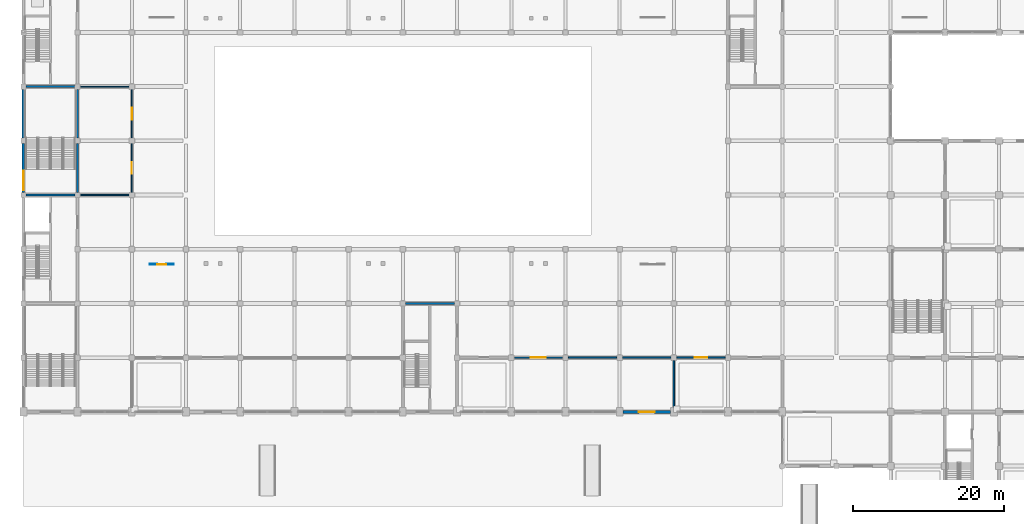
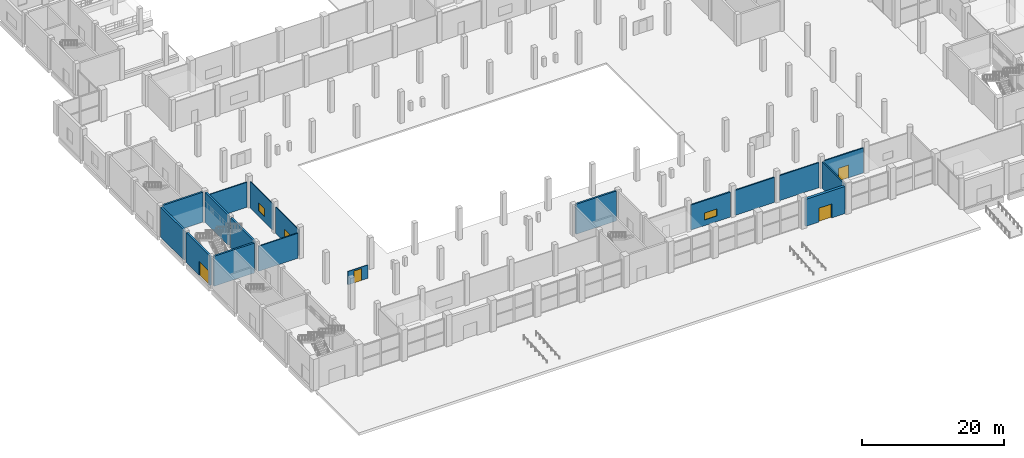
# One storey, part 45 of 70: 18 walls, 5 doors, 2 windows, 7 openings.
"""IFC4 building model written with IfcOpenShell, lengths in metres."""

from ifc_helpers import new_model, si_unit, direction, frame, frame_2d, origin, place, context, subcontext, project, spatial, rectangle, extrude, material, layer, layer_set, type_object, element, fill, save


model = new_model("IFC4")

# Units and contexts
model_context = context("Model", 3, precision=1e-05, world=origin(), true_north=direction((0.0, 1.0)))
body_context = subcontext(model_context, "Body", "Model", "MODEL_VIEW")
ifc_project = project(units=[si_unit("LENGTHUNIT", "METRE"), si_unit("AREAUNIT", "SQUARE_METRE"), si_unit("VOLUMEUNIT", "CUBIC_METRE"), si_unit("PLANEANGLEUNIT", "RADIAN"), si_unit("MASSUNIT", "GRAM", prefix="KILO")], contexts=[model_context])

# Site, building, storey
site_placement = place(None, origin())
site = spatial("IfcSite", under=ifc_project, at=site_placement, CompositionType="ELEMENT")
building_placement = place(site_placement, origin())
building = spatial("IfcBuilding", under=site, at=building_placement, Name="Vesperath Aquatics Centre", CompositionType="ELEMENT")
storey_placement = place(building_placement, origin())
storey = spatial("IfcBuildingStorey", under=building, at=storey_placement, Name="L00", CompositionType="ELEMENT", Elevation=0.0)

# Wall, opening, door
ifc_material_1 = material(Name="Liaoning grey granite ashlar insulated cavity wall", Category="masonry")
ifc_layer_1 = layer(ifc_material_1, 0.419921875)
ifc_layer_set_1 = layer_set([ifc_layer_1], Name="Liaoning grey granite ashlar insulated cavity wall")
wall_type_1 = type_object("IfcWallType", Name="WL-EW01", PredefinedType="SOLIDWALL", material=ifc_layer_set_1)
wall_1_placement = place(storey_placement, frame((79.64990234375, 14.39990234375, 0.0), z_axis=(0.0, 0.0, 1.0), x_axis=(1.0, 0.0, 0.0)))
wall_1 = element("IfcWall", 1, at=wall_1_placement, inside=storey, type_object=wall_type_1, Name="Exterior Wall EW01 L00_S_11_02", PredefinedType="SOLIDWALL", context=body_context, shape_type="SweptSolid", body=[
    extrude(rectangle(XDim=6.300048828125, YDim=0.419921875, at=frame_2d((3.14990234375, 0.0))), origin(), (0.0, 0.0, 1.0), 4.639892578125),
])
opening_1_placement = place(wall_1_placement, frame((2.10009765625, 0.0, 0.0)))
opening_1 = element("IfcOpeningElement", 2, at=opening_1_placement, cuts=wall_1, Name="Opening EX02", PredefinedType="OPENING", context=body_context, shape_type="SweptSolid", body=[
    extrude(rectangle(XDim=2.10009765625, YDim=2.39990234375, at=frame_2d((1.050048828125, 1.199951171875))), frame((0.0, 0.224853515625, 0.0), z_axis=(0.0, -1.0, 0.0), x_axis=(1.0, 0.0, 0.0)), (0.0, 0.0, 1.0), 0.44970703125),
])
ifc_material_2 = material(Name="Thermally broken bronze-anodised glazed aluminium door", Category="aluminium")
door_type_1 = type_object("IfcDoorType", Name="DR-EX02", OperationType="DOUBLE_SWING_LEFT", PredefinedType="DOOR", material=ifc_material_2)
door_1_placement = place(opening_1_placement, frame((2.10009765625, 0.0, 0.0), z_axis=(0.0, 0.0, 1.0), x_axis=(-1.0, 0.0, 0.0)))
door_1 = element("IfcDoor", 3, at=door_1_placement, inside=storey, type_object=door_type_1, Name="Final Exit Door EX02 L00_S_11_02", OperationType="DOUBLE_SWING_LEFT", OverallHeight=2.39990234375, OverallWidth=2.10009765625, PredefinedType="DOOR", context=body_context, shape_type="SweptSolid", body=[
    extrude(rectangle(XDim=2.10009765625, YDim=2.39990234375, at=frame_2d((1.050048828125, 1.199951171875))), frame((0.0, 0.02490234375, 0.0), z_axis=(0.0, -1.0, 0.0), x_axis=(1.0, 0.0, 0.0)), (0.0, 0.0, 1.0), 0.050048828125),
])
fill(opening_1, door_1)

# Wall, opening, window
ifc_material_3 = material(Name="Autoclaved aerated masonry blockwork", Category="masonry")
ifc_layer_2 = layer(ifc_material_3, 0.22998046875)
ifc_layer_set_2 = layer_set([ifc_layer_2], Name="Autoclaved aerated masonry blockwork")
wall_type_2 = type_object("IfcWallType", Name="WL-FW01", PredefinedType="SOLIDWALL", material=ifc_layer_set_2)
wall_2_placement = place(storey_placement, frame((65.199951171875, 21.60009765625, 0.0), z_axis=(0.0, 0.0, 1.0), x_axis=(1.0, 0.0, 0.0)))
wall_2 = element("IfcWall", 4, at=wall_2_placement, inside=storey, type_object=wall_type_2, Name="Interior Partition FW01 L00_OFFICIALS-N2", PredefinedType="SOLIDWALL", context=body_context, shape_type="SweptSolid", body=[
    extrude(rectangle(XDim=6.400146484375, YDim=0.22998046875, at=frame_2d((3.2001953125, 0.0))), origin(), (0.0, 0.0, 1.0), 4.2900390625),
])
opening_2_placement = place(wall_2_placement, frame((2.199951171875, 0.0, 0.949951171875)))
opening_2 = element("IfcOpeningElement", 5, at=opening_2_placement, cuts=wall_2, Name="Opening VW11", PredefinedType="OPENING", context=body_context, shape_type="SweptSolid", body=[
    extrude(rectangle(XDim=2.0, YDim=1.199951171875, at=frame_2d((1.0, 0.60009765625))), frame((0.0, 0.1298828125, 0.0), z_axis=(0.0, -1.0, 0.0), x_axis=(1.0, 0.0, 0.0)), (0.0, 0.0, 1.0), 0.259765625),
])
ifc_material_4 = material(Name="Acoustic laminated interior viewing glazing", Category="glass")
window_type_1 = type_object("IfcWindowType", Name="WN-IW11", PartitioningType="SINGLE_PANEL", PredefinedType="WINDOW", material=ifc_material_4)
window_1_placement = place(opening_2_placement, origin())
window_1 = element("IfcWindow", 6, at=window_1_placement, inside=storey, type_object=window_type_1, Name="Interior Viewing Window VW11 L00_OFFICIALS", OverallHeight=1.199951171875, OverallWidth=2.0, PartitioningType="SINGLE_PANEL", PredefinedType="WINDOW", context=body_context, shape_type="SweptSolid", body=[
    extrude(rectangle(XDim=2.0, YDim=1.199951171875, at=frame_2d((1.0, 0.60009765625))), frame((0.0, 0.030029296875, 0.0), z_axis=(0.0, -1.0, 0.0), x_axis=(1.0, 0.0, 0.0)), (0.0, 0.0, 1.0), 0.06005859375),
])
fill(opening_2, window_1)

# Walls
ifc_material_5 = material(Name="Masonry fire compartment wall", Category="masonry")
ifc_layer_3 = layer(ifc_material_5, 0.219970703125)
ifc_layer_set_3 = layer_set([ifc_layer_3], Name="Masonry fire compartment wall")
wall_type_3 = type_object("IfcWallType", Name="WL-FW02", PredefinedType="SOLIDWALL", material=ifc_layer_set_3)
wall_3_placement = place(storey_placement, frame((72.39990234375, 21.60009765625, 0.0), z_axis=(0.0, 0.0, 1.0), x_axis=(1.0, 0.0, 0.0)))
element("IfcWall", 7, at=wall_3_placement, inside=storey, type_object=wall_type_3, Name="Interior Partition FW02 L00_OFFICIALS-N3", PredefinedType="SOLIDWALL", context=body_context, shape_type="SweptSolid", body=[
    extrude(rectangle(XDim=6.400146484375, YDim=0.219970703125, at=frame_2d((3.2001953125, 0.0))), origin(), (0.0, 0.0, 1.0), 4.2900390625),
])
ifc_material_6 = material(Name="Wet-village masonry block wall", Category="masonry")
ifc_layer_4 = layer(ifc_material_6, 0.199951171875)
ifc_layer_set_4 = layer_set([ifc_layer_4], Name="Wet-village masonry block wall")
wall_type_4 = type_object("IfcWallType", Name="WL-FW03", PredefinedType="SOLIDWALL", material=ifc_layer_set_4)
wall_4_placement = place(storey_placement, frame((79.60009765625, 21.60009765625, 0.0), z_axis=(0.0, 0.0, 1.0), x_axis=(1.0, 0.0, 0.0)))
element("IfcWall", 8, at=wall_4_placement, inside=storey, type_object=wall_type_4, Name="Interior Partition FW03 L00_OFFICIALS-N4", PredefinedType="SOLIDWALL", context=body_context, shape_type="SweptSolid", body=[
    extrude(rectangle(XDim=6.39990234375, YDim=0.199951171875, at=frame_2d((3.199951171875, 0.0))), origin(), (0.0, 0.0, 1.0), 4.2900390625),
])
ifc_material_7 = material(Name="Plant acoustic masonry wall", Category="masonry")
ifc_layer_5 = layer(ifc_material_7, 0.18994140625)
ifc_layer_set_5 = layer_set([ifc_layer_5], Name="Plant acoustic masonry wall")
wall_type_5 = type_object("IfcWallType", Name="WL-FW04", PredefinedType="SOLIDWALL", material=ifc_layer_set_5)
wall_5_placement = place(storey_placement, frame((86.39990234375, 15.0, 0.0), z_axis=(0.0, 0.0, 1.0), x_axis=(0.0, 1.0, 0.0)))
element("IfcWall", 9, at=wall_5_placement, inside=storey, type_object=wall_type_5, Name="Interior Partition FW04 L00_OFFICIALS-E1", PredefinedType="SOLIDWALL", context=body_context, shape_type="SweptSolid", body=[
    extrude(rectangle(XDim=6.199951171875, YDim=0.18994140625, at=frame_2d((3.10009765625, 0.0))), origin(), (0.0, 0.0, 1.0), 4.489990234375),
])

# Wall, opening, door
ifc_material_8 = material(Name="Double-stud acoustic studio partition", Category="gypsum")
ifc_layer_6 = layer(ifc_material_8, 0.18505859375)
ifc_layer_set_6 = layer_set([ifc_layer_6], Name="Double-stud acoustic studio partition")
wall_type_6 = type_object("IfcWallType", Name="WL-IW01", PredefinedType="PARTITIONING", material=ifc_layer_set_6)
wall_6_placement = place(storey_placement, frame((86.800048828125, 21.60009765625, 0.0), z_axis=(0.0, 0.0, 1.0), x_axis=(1.0, 0.0, 0.0)))
wall_6 = element("IfcWall", 10, at=wall_6_placement, inside=storey, type_object=wall_type_6, Name="Interior Partition IW01 L00_FIRST_AID-N1", PredefinedType="PARTITIONING", context=body_context, shape_type="SweptSolid", body=[
    extrude(rectangle(XDim=6.39990234375, YDim=0.18505859375, at=frame_2d((3.199951171875, 0.0))), origin(), (0.0, 0.0, 1.0), 4.2900390625),
])
opening_3_placement = place(wall_6_placement, frame((2.389892578125, 0.0, 0.0)))
opening_3 = element("IfcOpeningElement", 11, at=opening_3_placement, cuts=wall_6, Name="Opening D21", PredefinedType="OPENING", context=body_context, shape_type="SweptSolid", body=[
    extrude(rectangle(XDim=1.6201171875, YDim=2.199951171875, at=frame_2d((0.81005859375, 1.10009765625))), frame((0.0, 0.107421875, 0.0), z_axis=(0.0, -1.0, 0.0), x_axis=(1.0, 0.0, 0.0)), (0.0, 0.0, 1.0), 0.21484375),
])
ifc_material_9 = material(Name="Hydrotherapy clinic glazed double door", Category="aluminium")
door_type_2 = type_object("IfcDoorType", Name="DR-RM13", OperationType="DOUBLE_SWING_LEFT", PredefinedType="DOOR", material=ifc_material_9)
door_2_placement = place(opening_3_placement, frame((1.6201171875, 0.0, 0.0), z_axis=(0.0, 0.0, 1.0), x_axis=(-1.0, 0.0, 0.0)))
door_2 = element("IfcDoor", 12, at=door_2_placement, inside=storey, type_object=door_type_2, Name="Poolside Lifeguard and First-Aid Triage Room Door D21", OperationType="DOUBLE_SWING_LEFT", OverallHeight=2.199951171875, OverallWidth=1.6201171875, PredefinedType="DOOR", context=body_context, shape_type="SweptSolid", body=[
    extrude(rectangle(XDim=1.6201171875, YDim=2.199951171875, at=frame_2d((0.81005859375, 1.10009765625))), frame((0.0, 0.02490234375, 0.0), z_axis=(0.0, -1.0, 0.0), x_axis=(1.0, 0.0, 0.0)), (0.0, 0.0, 1.0), 0.050048828125),
])
fill(opening_3, door_2)

# Walls
ifc_material_10 = material(Name="Clinic acoustic partition", Category="gypsum")
ifc_layer_7 = layer(ifc_material_10, 0.159912109375)
ifc_layer_set_7 = layer_set([ifc_layer_7], Name="Clinic acoustic partition")
wall_type_7 = type_object("IfcWallType", Name="WL-IW04", PredefinedType="PARTITIONING", material=ifc_layer_set_7)
wall_7_placement = place(storey_placement, frame((7.60009765625, 43.199951171875, 0.0), z_axis=(0.0, 0.0, 1.0), x_axis=(1.0, 0.0, 0.0)))
element("IfcWall", 13, at=wall_7_placement, inside=storey, type_object=wall_type_7, Name="Interior Partition IW04 L00_WEST_WARM-S1", PredefinedType="PARTITIONING", context=body_context, shape_type="SweptSolid", body=[
    extrude(rectangle(XDim=6.39990234375, YDim=0.159912109375, at=frame_2d((3.199951171875, 0.0))), origin(), (0.0, 0.0, 1.0), 4.2900390625),
])
ifc_material_11 = material(Name="Laboratory clean partition", Category="gypsum")
ifc_layer_8 = layer(ifc_material_11, 0.152099609375)
ifc_layer_set_8 = layer_set([ifc_layer_8], Name="Laboratory clean partition")
wall_type_8 = type_object("IfcWallType", Name="WL-IW05", PredefinedType="PARTITIONING", material=ifc_layer_set_8)
wall_8_placement = place(storey_placement, frame((7.60009765625, 57.60009765625, 0.0), z_axis=(0.0, 0.0, 1.0), x_axis=(1.0, 0.0, 0.0)))
element("IfcWall", 14, at=wall_8_placement, inside=storey, type_object=wall_type_8, Name="Interior Partition IW05 L00_WEST_WARM-N1", PredefinedType="PARTITIONING", context=body_context, shape_type="SweptSolid", body=[
    extrude(rectangle(XDim=6.39990234375, YDim=0.152099609375, at=frame_2d((3.199951171875, 0.0))), origin(), (0.0, 0.0, 1.0), 4.2900390625),
])

# Wall, opening, door
ifc_material_12 = material(Name="Classroom acoustic partition", Category="gypsum")
ifc_layer_9 = layer(ifc_material_12, 0.14501953125)
ifc_layer_set_9 = layer_set([ifc_layer_9], Name="Classroom acoustic partition")
wall_type_9 = type_object("IfcWallType", Name="WL-IW06", PredefinedType="PARTITIONING", material=ifc_layer_set_9)
wall_9_placement = place(storey_placement, frame((14.39990234375, 43.60009765625, 0.0), z_axis=(0.0, 0.0, 1.0), x_axis=(0.0, 1.0, 0.0)))
wall_9 = element("IfcWall", 15, at=wall_9_placement, inside=storey, type_object=wall_type_9, Name="Interior Partition IW06 L00_WEST_WARM-E1", PredefinedType="PARTITIONING", context=body_context, shape_type="SweptSolid", body=[
    extrude(rectangle(XDim=6.39990234375, YDim=0.14501953125, at=frame_2d((3.199951171875, 0.0))), origin(), (0.0, 0.0, 1.0), 4.489990234375),
])
opening_4_placement = place(wall_9_placement, frame((2.449951171875, 0.0, 0.0)))
opening_4 = element("IfcOpeningElement", 16, at=opening_4_placement, cuts=wall_9, Name="Opening D18", PredefinedType="OPENING", context=body_context, shape_type="SweptSolid", body=[
    extrude(rectangle(XDim=1.5, YDim=2.199951171875, at=frame_2d((0.75, 1.10009765625))), frame((0.0, 0.08740234375, 0.0), z_axis=(0.0, -1.0, 0.0), x_axis=(1.0, 0.0, 0.0)), (0.0, 0.0, 1.0), 0.1748046875),
])
ifc_material_13 = material(Name="Aquatics shop glazed double door", Category="aluminium")
door_type_3 = type_object("IfcDoorType", Name="DR-RM10", OperationType="DOUBLE_SWING_LEFT", PredefinedType="DOOR", material=ifc_material_13)
door_3_placement = place(opening_4_placement, origin())
door_3 = element("IfcDoor", 17, at=door_3_placement, inside=storey, type_object=door_type_3, Name="Athletes Dry Warm-Up and Stretching Hall Door D18", OperationType="DOUBLE_SWING_LEFT", OverallHeight=2.199951171875, OverallWidth=1.5, PredefinedType="DOOR", context=body_context, shape_type="SweptSolid", body=[
    extrude(rectangle(XDim=1.5, YDim=2.199951171875, at=frame_2d((0.75, 1.10009765625))), frame((0.0, 0.02490234375, 0.0), z_axis=(0.0, -1.0, 0.0), x_axis=(1.0, 0.0, 0.0)), (0.0, 0.0, 1.0), 0.050048828125),
])
fill(opening_4, door_3)

# Wall, opening, window
ifc_material_14 = material(Name="Changing cubicle masonry-backed partition", Category="masonry")
ifc_layer_10 = layer(ifc_material_14, 0.137939453125)
ifc_layer_set_10 = layer_set([ifc_layer_10], Name="Changing cubicle masonry-backed partition")
wall_type_10 = type_object("IfcWallType", Name="WL-IW07", PredefinedType="PARTITIONING", material=ifc_layer_set_10)
wall_10_placement = place(storey_placement, frame((14.39990234375, 50.800048828125, 0.0), z_axis=(0.0, 0.0, 1.0), x_axis=(0.0, 1.0, 0.0)))
wall_10 = element("IfcWall", 18, at=wall_10_placement, inside=storey, type_object=wall_type_10, Name="Interior Partition IW07 L00_WEST_WARM-E2", PredefinedType="PARTITIONING", context=body_context, shape_type="SweptSolid", body=[
    extrude(rectangle(XDim=6.39990234375, YDim=0.137939453125, at=frame_2d((3.199951171875, 0.0))), origin(), (0.0, 0.0, 1.0), 4.489990234375),
])
opening_5_placement = place(wall_10_placement, frame((2.39990234375, 0.0, 0.949951171875)))
opening_5 = element("IfcOpeningElement", 19, at=opening_5_placement, cuts=wall_10, Name="Opening VW09", PredefinedType="OPENING", context=body_context, shape_type="SweptSolid", body=[
    extrude(rectangle(XDim=1.60009765625, YDim=1.35009765625, at=frame_2d((0.800048828125, 0.675048828125))), frame((0.0, 0.083984375, 0.0), z_axis=(0.0, -1.0, 0.0), x_axis=(1.0, 0.0, 0.0)), (0.0, 0.0, 1.0), 0.167724609375),
])
window_type_2 = type_object("IfcWindowType", Name="WN-IW09", PartitioningType="SINGLE_PANEL", PredefinedType="WINDOW", material=ifc_material_4)
window_2_placement = place(opening_5_placement, origin())
window_2 = element("IfcWindow", 20, at=window_2_placement, inside=storey, type_object=window_type_2, Name="Interior Viewing Window VW09 L00_WEST_WARM", OverallHeight=1.35009765625, OverallWidth=1.60009765625, PartitioningType="SINGLE_PANEL", PredefinedType="WINDOW", context=body_context, shape_type="SweptSolid", body=[
    extrude(rectangle(XDim=1.60009765625, YDim=1.35009765625, at=frame_2d((0.800048828125, 0.675048828125))), frame((0.0, 0.030029296875, 0.0), z_axis=(0.0, -1.0, 0.0), x_axis=(1.0, 0.0, 0.0)), (0.0, 0.0, 1.0), 0.06005859375),
])
fill(opening_5, window_2)

# Wall, opening, door
ifc_material_15 = material(Name="Poolside glazed screen partition", Category="gypsum")
ifc_layer_11 = layer(ifc_material_15, 0.094970703125)
ifc_layer_set_11 = layer_set([ifc_layer_11], Name="Poolside glazed screen partition")
wall_type_11 = type_object("IfcWallType", Name="WL-IW13", PredefinedType="PARTITIONING", material=ifc_layer_set_11)
wall_11_placement = place(storey_placement, frame((16.800048828125, 34.0, 0.0), z_axis=(0.0, 0.0, 1.0), x_axis=(1.0, 0.0, 0.0)))
wall_11 = element("IfcWall", 21, at=wall_11_placement, inside=storey, type_object=wall_type_11, Name="Poolside Marshal Screen IW13-01", PredefinedType="PARTITIONING", context=body_context, shape_type="SweptSolid", body=[
    extrude(rectangle(XDim=3.199951171875, YDim=0.094970703125, at=frame_2d((1.60009765625, 0.0))), origin(), (0.0, 0.0, 1.0), 2.300048828125),
])
opening_6_placement = place(wall_11_placement, frame((0.949951171875, 0.0, 0.0)))
opening_6 = element("IfcOpeningElement", 22, at=opening_6_placement, cuts=wall_11, Name="Opening GT01", PredefinedType="OPENING", context=body_context, shape_type="SweptSolid", body=[
    extrude(rectangle(XDim=1.25, YDim=2.050048828125, at=frame_2d((0.625, 1.02490234375))), frame((0.0, 0.0625, 0.0), z_axis=(0.0, -1.0, 0.0), x_axis=(1.0, 0.0, 0.0)), (0.0, 0.0, 1.0), 0.124755859375),
])
ifc_material_16 = material(Name="Stainless steel poolside marshal gate", Category="steel")
door_type_4 = type_object("IfcDoorType", Name="DR-GT01", OperationType="NOTDEFINED", PredefinedType="GATE", material=ifc_material_16)
door_4_placement = place(opening_6_placement, origin())
door_4 = element("IfcDoor", 23, at=door_4_placement, inside=storey, type_object=door_type_4, Name="Poolside Marshal Gate GT01-01", OperationType="SINGLE_SWING_LEFT", OverallHeight=2.050048828125, OverallWidth=1.25, PredefinedType="GATE", context=body_context, shape_type="SweptSolid", body=[
    extrude(rectangle(XDim=1.25, YDim=2.050048828125, at=frame_2d((0.625, 1.02490234375))), frame((0.0, 0.02490234375, 0.0), z_axis=(0.0, -1.0, 0.0), x_axis=(1.0, 0.0, 0.0)), (0.0, 0.0, 1.0), 0.050048828125),
])
fill(opening_6, door_4)

# Walls
ifc_material_17 = material(Name="Concrete C40", Category="concrete")
ifc_layer_12 = layer(ifc_material_17, 0.300048828125)
ifc_layer_set_12 = layer_set([ifc_layer_12], Name="Concrete C40")
wall_type_12 = type_object("IfcWallType", Name="WL-SW01", PredefinedType="SHEAR", material=ifc_layer_set_12)
for number, where, z_axis, x_axis, name in (
    (24, (0.35009765625, 43.199951171875, 0.0), (0.0, 0.0, 1.0), (1.0, 0.0, 0.0), "Core C1 North Shear Wall SW01 L00"),
    (25, (7.199951171875, 43.550048828125, 0.0), (0.0, 0.0, 1.0), (0.0, 1.0, 0.0), "Core C11 East-1 Shear Wall SW01 L00"),
    (26, (7.199951171875, 50.75, 0.0), (0.0, 0.0, 1.0), (0.0, 1.0, 0.0), "Core C11 East-2 Shear Wall SW01 L00"),
):
    element("IfcWall", number, at=place(storey_placement, frame(where, z_axis=z_axis, x_axis=x_axis)), inside=storey, type_object=wall_type_12, Name=name, PredefinedType="SHEAR", context=body_context, shape_type="SweptSolid", body=[
        extrude(rectangle(XDim=6.5, YDim=0.300048828125, at=frame_2d((3.25, 0.0))), origin(), (0.0, 0.0, 1.0), 5.139892578125),
    ])
ifc_layer_13 = layer(ifc_material_17, 0.280029296875)
ifc_layer_set_13 = layer_set([ifc_layer_13], Name="Concrete C40")
wall_type_13 = type_object("IfcWallType", Name="WL-SW02", PredefinedType="SHEAR", material=ifc_layer_set_13)
for number, where, z_axis, x_axis, name in (
    (27, (0.35009765625, 57.60009765625, 0.0), (0.0, 0.0, 1.0), (1.0, 0.0, 0.0), "Core C2 South Shear Wall SW02 L00"),
    (28, (50.75, 28.800048828125, 0.0), (0.0, 0.0, 1.0), (1.0, 0.0, 0.0), "Core C9 North Shear Wall SW02 L00"),
):
    element("IfcWall", number, at=place(storey_placement, frame(where, z_axis=z_axis, x_axis=x_axis)), inside=storey, type_object=wall_type_13, Name=name, PredefinedType="SHEAR", context=body_context, shape_type="SweptSolid", body=[
        extrude(rectangle(XDim=6.5, YDim=0.280029296875, at=frame_2d((3.25, 0.0))), origin(), (0.0, 0.0, 1.0), 5.139892578125),
    ])

# Wall, opening, door
ifc_layer_14 = layer(ifc_material_17, 0.31005859375)
ifc_layer_set_14 = layer_set([ifc_layer_14], Name="Concrete C40")
wall_type_14 = type_object("IfcWallType", Name="WL-SW05", PredefinedType="SHEAR", material=ifc_layer_set_14)
wall_12_placement = place(storey_placement, frame((0.0, 43.550048828125, 0.0), z_axis=(0.0, 0.0, 1.0), x_axis=(0.0, 1.0, 0.0)))
wall_12 = element("IfcWall", 29, at=wall_12_placement, inside=storey, type_object=wall_type_14, Name="Core C11 West-1 Shear Wall SW05 L00", PredefinedType="SHEAR", context=body_context, shape_type="SweptSolid", body=[
    extrude(rectangle(XDim=6.5, YDim=0.31005859375, at=frame_2d((3.25, 0.0))), origin(), (0.0, 0.0, 1.0), 5.139892578125),
])
opening_7_placement = place(wall_12_placement, frame((0.300048828125, 0.0, 0.0)))
opening_7 = element("IfcOpeningElement", 30, at=opening_7_placement, cuts=wall_12, Name="Opening EX07", PredefinedType="OPENING", context=body_context, shape_type="SweptSolid", body=[
    extrude(rectangle(XDim=2.60009765625, YDim=2.39990234375, at=frame_2d((1.300048828125, 1.199951171875))), frame((0.0, 0.169921875, 0.0), z_axis=(0.0, -1.0, 0.0), x_axis=(1.0, 0.0, 0.0)), (0.0, 0.0, 1.0), 0.33984375),
])
door_type_5 = type_object("IfcDoorType", Name="DR-EX07", OperationType="DOUBLE_SWING_LEFT", PredefinedType="DOOR", material=ifc_material_2)
door_5_placement = place(opening_7_placement, origin())
door_5 = element("IfcDoor", 31, at=door_5_placement, inside=storey, type_object=door_type_5, Name="Stair ST11 Direct Grade Exit Door EX07", OperationType="DOUBLE_SWING_LEFT", OverallHeight=2.39990234375, OverallWidth=2.60009765625, PredefinedType="DOOR", context=body_context, shape_type="SweptSolid", body=[
    extrude(rectangle(XDim=2.60009765625, YDim=2.39990234375, at=frame_2d((1.300048828125, 1.199951171875))), frame((0.0, 0.02490234375, 0.0), z_axis=(0.0, -1.0, 0.0), x_axis=(1.0, 0.0, 0.0)), (0.0, 0.0, 1.0), 0.050048828125),
])
fill(opening_7, door_5)

# Wall
wall_13_placement = place(storey_placement, frame((0.0, 50.75, 0.0), z_axis=(0.0, 0.0, 1.0), x_axis=(0.0, 1.0, 0.0)))
element("IfcWall", 32, at=wall_13_placement, inside=storey, type_object=wall_type_14, Name="Core C11 West-2 Shear Wall SW05 L00", PredefinedType="SHEAR", context=body_context, shape_type="SweptSolid", body=[
    extrude(rectangle(XDim=6.5, YDim=0.31005859375, at=frame_2d((3.25, 0.0))), origin(), (0.0, 0.0, 1.0), 5.139892578125),
])

save(model, "model.ifc")
